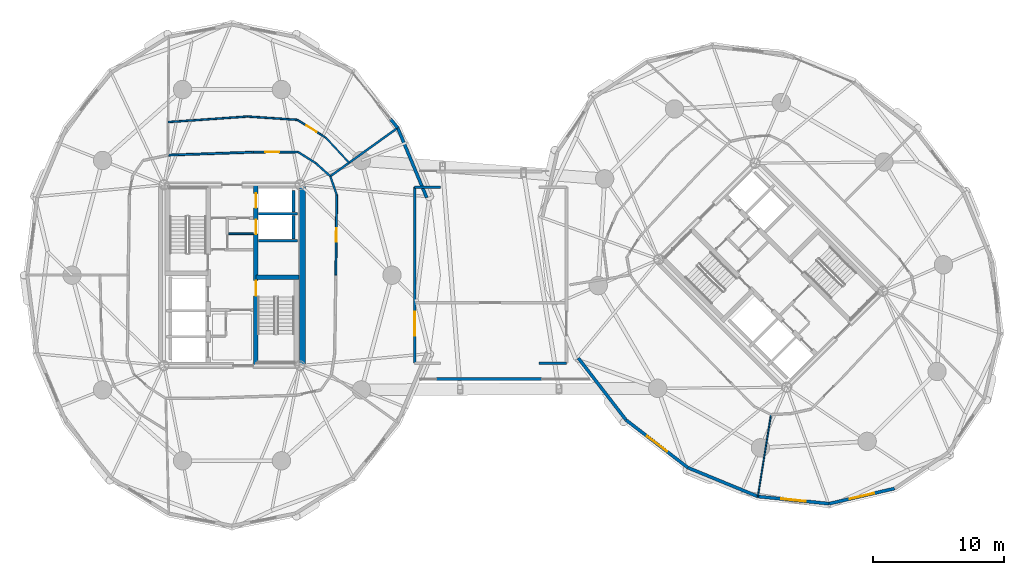
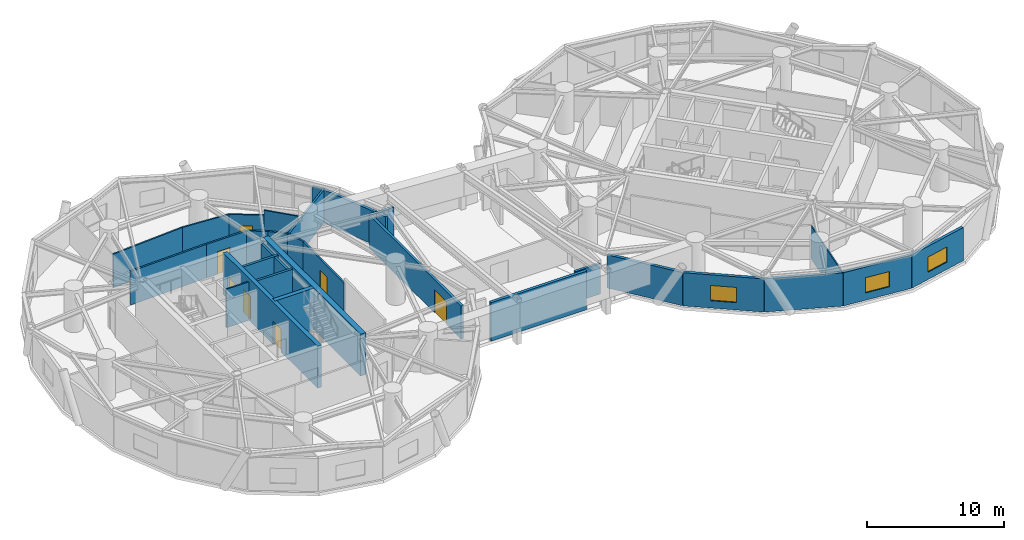
# One storey, part 11 of 17: 31 walls, 7 doors, 3 windows, 10 openings.
"""IFC4 building model written with IfcOpenShell, lengths in metres."""

from ifc_helpers import new_model, si_unit, direction, frame, frame_2d, origin, place, context, subcontext, project, spatial, rectangle, extrude, source, transform, mapped, material, layer, layer_set, type_object, element, fill, save


model = new_model("IFC4")

# Units and contexts
model_context = context("Model", 3, precision=1e-05, world=origin(), true_north=direction((0.0, 1.0)))
body_context = subcontext(model_context, "Body", "Model", "MODEL_VIEW")
ifc_project = project(units=[si_unit("LENGTHUNIT", "METRE"), si_unit("AREAUNIT", "SQUARE_METRE"), si_unit("VOLUMEUNIT", "CUBIC_METRE"), si_unit("PLANEANGLEUNIT", "RADIAN"), si_unit("MASSUNIT", "GRAM", prefix="KILO")], contexts=[model_context])

# Site, building, storey
site_placement = place(None, origin())
site = spatial("IfcSite", under=ifc_project, at=site_placement, CompositionType="ELEMENT")
building_placement = place(site_placement, origin())
building = spatial("IfcBuilding", under=site, at=building_placement, Name="Cununo Teusaquillo Station Towers", CompositionType="ELEMENT")
storey_placement = place(building_placement, frame((0.0, 0.0, 125.43994140625)))
storey = spatial("IfcBuildingStorey", under=building, at=storey_placement, Name="L40", CompositionType="ELEMENT", Elevation=125.43994140625)

# Walls
ifc_material_1 = material(Name="Concrete C50/60", Category="concrete")
ifc_layer_1 = layer(ifc_material_1, 0.199951171875)
ifc_layer_set_1 = layer_set([ifc_layer_1], Name="Concrete C50/60")
wall_type_1 = type_object("IfcWallType", Name="WL-CORE-200", PredefinedType="SHEAR", material=ifc_layer_set_1)
for number, where, z_axis, x_axis, name in (
    (1, (18.510009765625, 27.1298828125, 0.0), (0.0, 0.0, 1.0), (1.0, 0.0, 0.0), "L40 Tower A Low-Rise Lift Hoistway South Shear Wall"),
    (2, (18.510009765625, 29.175048828125, 0.0), (0.0, 0.0, 1.0), (1.0, 0.0, 0.0), "L40 Tower A Low-Rise Lift Hoistway Divider Shear Wall"),
):
    element("IfcWall", number, at=place(storey_placement, frame(where, z_axis=z_axis, x_axis=x_axis)), inside=storey, type_object=wall_type_1, Name=name, PredefinedType="SHEAR", context=body_context, shape_type="SweptSolid", body=[
        extrude(rectangle(XDim=2.969970703125, YDim=0.199951171875, at=frame_2d((1.48486328125, 0.0))), origin(), (0.0, 0.0, 1.0), 3.719970703125),
    ])
wall_1_placement = place(storey_placement, frame((21.179931640625, 27.25, 0.0), z_axis=(0.0, 0.0, 1.0), x_axis=(0.0, 1.0, 0.0)))
element("IfcWall", 3, at=wall_1_placement, inside=storey, type_object=wall_type_1, Name="L40 Tower A Low-Rise Lift 1 Shaft Rear Shear Wall", PredefinedType="SHEAR", context=body_context, shape_type="SweptSolid", body=[
    extrude(rectangle(XDim=1.804931640625, YDim=0.199951171875, at=frame_2d((0.90234375, 0.0))), origin(), (0.0, 0.0, 1.0), 3.719970703125),
])
wall_2_placement = place(storey_placement, frame((21.179931640625, 29.294921875, 0.0), z_axis=(0.0, 0.0, 1.0), x_axis=(0.0, 1.0, 0.0)))
element("IfcWall", 4, at=wall_2_placement, inside=storey, type_object=wall_type_1, Name="L40 Tower A Low-Rise Lift 2 Shaft Rear Shear Wall", PredefinedType="SHEAR", context=body_context, shape_type="SweptSolid", body=[
    extrude(rectangle(XDim=1.635009765625, YDim=0.199951171875, at=frame_2d((0.8173828125, 0.0))), origin(), (0.0, 0.0, 1.0), 3.719970703125),
])

# Wall, openings, doors
ifc_material_2 = material(Name="Concrete C50/60", Category="concrete")
ifc_layer_2 = layer(ifc_material_2, 0.35009765625)
ifc_layer_set_2 = layer_set([ifc_layer_2], Name="Concrete C50/60")
wall_type_2 = type_object("IfcWallType", Name="WL-CORE-350", PredefinedType="SHEAR", material=ifc_layer_set_2)
wall_3_placement = place(storey_placement, frame((18.31494140625, 17.625, 0.0), z_axis=(0.0, 0.0, 1.0), x_axis=(0.0, 1.0, 0.0)))
wall_3 = element("IfcWall", 5, at=wall_3_placement, inside=storey, type_object=wall_type_2, Name="L40 Tower A Core Shear Wall IE", PredefinedType="SHEAR", context=body_context, shape_type="SweptSolid", body=[
    extrude(rectangle(XDim=13.75, YDim=0.35009765625, at=frame_2d((6.875, 0.0))), origin(), (0.0, 0.0, 1.0), 3.719970703125),
])
shared_shape_1 = source(origin(), body_context, "Body", "SweptSolid", [
    extrude(rectangle(XDim=1.10009765625, YDim=2.014892578125, at=frame_2d((0.550048828125, 1.00732421875))), frame((0.0, 0.18505859375, 0.0), z_axis=(0.0, -1.0, 0.0), x_axis=(1.0, 0.0, 0.0)), (0.0, 0.0, 1.0), 0.3701171875),
])
opening_1_placement = place(wall_3_placement, frame((10.0, 0.0, 0.0)))
opening_1 = element("IfcOpeningElement", 6, at=opening_1_placement, cuts=wall_3, Name="Opening LD-01", PredefinedType="OPENING", context=body_context, shape_type="MappedRepresentation", body=[
    mapped(shared_shape_1, transform((0.0, 0.0, 0.0), x_axis=(1.0, 0.0, 0.0), y_axis=(0.0, 1.0, 0.0), z_axis=(0.0, 0.0, 1.0), scale=1.0)),
])
opening_2_placement = place(wall_3_placement, frame((12.0, 0.0, 0.0)))
opening_2 = element("IfcOpeningElement", 7, at=opening_2_placement, cuts=wall_3, Name="Opening LD-01", PredefinedType="OPENING", context=body_context, shape_type="MappedRepresentation", body=[
    mapped(shared_shape_1, transform((0.0, 0.0, 0.0), x_axis=(1.0, 0.0, 0.0), y_axis=(0.0, 1.0, 0.0), z_axis=(0.0, 0.0, 1.0), scale=1.0)),
])
shared_shape_2 = source(origin(), body_context, "Body", "SweptSolid", [
    extrude(rectangle(XDim=1.14990234375, YDim=2.02001953125, at=frame_2d((0.574951171875, 1.010009765625))), frame((0.0, 0.18505859375, 0.0), z_axis=(0.0, -1.0, 0.0), x_axis=(1.0, 0.0, 0.0)), (0.0, 0.0, 1.0), 0.3701171875),
])
opening_3_placement = place(wall_3_placement, frame((5.304931640625, 0.0, 0.0)))
opening_3 = element("IfcOpeningElement", 8, at=opening_3_placement, cuts=wall_3, Name="Opening D-ST1", PredefinedType="OPENING", context=body_context, shape_type="MappedRepresentation", body=[
    mapped(shared_shape_2, transform((0.0, 0.0, 0.0), x_axis=(1.0, 0.0, 0.0), y_axis=(0.0, 1.0, 0.0), z_axis=(0.0, 0.0, 1.0), scale=1.0)),
])
ifc_material_3 = material(Name="Galvanised fire-rated hollow steel door assembly", Category="steel")
door_type_1 = type_object("IfcDoorType", Name="DR-LIFT-1100", OperationType="SLIDING_TO_LEFT", PredefinedType="DOOR", material=ifc_material_3)
shared_shape_3 = source(origin(), body_context, "Body", "SweptSolid", [
    extrude(rectangle(XDim=1.10009765625, YDim=2.014892578125, at=frame_2d((0.550048828125, 1.00732421875))), frame((0.0, 0.02490234375, 0.0), z_axis=(0.0, -1.0, 0.0), x_axis=(1.0, 0.0, 0.0)), (0.0, 0.0, 1.0), 0.050048828125),
])
door_1_placement = place(opening_1_placement, origin())
door_1 = element("IfcDoor", 9, at=door_1_placement, inside=storey, type_object=door_type_1, Name="L40 Lift PL-T1-L1 Sliding Landing Door", OperationType="SLIDING_TO_LEFT", OverallHeight=2.014892578125, OverallWidth=1.10009765625, PredefinedType="DOOR", context=body_context, shape_type="MappedRepresentation", body=[
    mapped(shared_shape_3, transform((0.0, 0.0, 0.0), x_axis=(1.0, 0.0, 0.0), y_axis=(0.0, 1.0, 0.0), z_axis=(0.0, 0.0, 1.0), scale=1.0)),
])
fill(opening_1, door_1)
door_2_placement = place(opening_2_placement, origin())
door_2 = element("IfcDoor", 10, at=door_2_placement, inside=storey, type_object=door_type_1, Name="L40 Lift PL-T1-L2 Sliding Landing Door", OperationType="SLIDING_TO_RIGHT", OverallHeight=2.014892578125, OverallWidth=1.10009765625, PredefinedType="DOOR", context=body_context, shape_type="MappedRepresentation", body=[
    mapped(shared_shape_3, transform((0.0, 0.0, 0.0), x_axis=(1.0, 0.0, 0.0), y_axis=(0.0, 1.0, 0.0), z_axis=(0.0, 0.0, 1.0), scale=1.0)),
])
fill(opening_2, door_2)
ifc_material_4 = material(Name="Galvanised fire-rated hollow steel door assembly", Category="steel")
door_type_2 = type_object("IfcDoorType", Name="DR-STAIR-1150", OperationType="NOTDEFINED", PredefinedType="DOOR", material=ifc_material_4)
shared_shape_4 = source(origin(), body_context, "Body", "SweptSolid", [
    extrude(rectangle(XDim=1.14990234375, YDim=2.02001953125, at=frame_2d((0.574951171875, 1.010009765625))), frame((0.0, 0.02490234375, 0.0), z_axis=(0.0, -1.0, 0.0), x_axis=(1.0, 0.0, 0.0)), (0.0, 0.0, 1.0), 0.050048828125),
])
door_3_placement = place(opening_3_placement, origin())
door_3 = element("IfcDoor", 11, at=door_3_placement, inside=storey, type_object=door_type_2, Name="L40 Tower A Exit Stair 2 Fire Door", OperationType="SINGLE_SWING_LEFT", OverallHeight=2.02001953125, OverallWidth=1.14990234375, PredefinedType="DOOR", context=body_context, shape_type="MappedRepresentation", body=[
    mapped(shared_shape_4, transform((0.0, 0.0, 0.0), x_axis=(1.0, 0.0, 0.0), y_axis=(0.0, 1.0, 0.0), z_axis=(0.0, 0.0, 1.0), scale=1.0)),
])
fill(opening_3, door_3)

# Walls
wall_4_placement = place(storey_placement, frame((18.31494140625, 24.344970703125, 0.0), z_axis=(0.0, 0.0, 1.0), x_axis=(1.0, 0.0, 0.0)))
element("IfcWall", 12, at=wall_4_placement, inside=storey, type_object=wall_type_2, Name="L40 Tower A Core Shear Wall ST2N", PredefinedType="SHEAR", context=body_context, shape_type="SweptSolid", body=[
    extrude(rectangle(XDim=3.28515625, YDim=0.35009765625, at=frame_2d((1.642578125, 0.0))), origin(), (0.0, 0.0, 1.0), 3.719970703125),
])
ifc_material_5 = material(Name="Concrete C60/75", Category="concrete")
ifc_layer_3 = layer(ifc_material_5, 0.449951171875)
ifc_layer_set_3 = layer_set([ifc_layer_3], Name="Concrete C60/75")
wall_type_3 = type_object("IfcWallType", Name="WL-CORE-450", PredefinedType="SHEAR", material=ifc_layer_set_3)
wall_5_placement = place(storey_placement, frame((21.85009765625, 17.39990234375, 0.0), z_axis=(0.0, 0.0, 1.0), x_axis=(0.0, 1.0, 0.0)))
element("IfcWall", 13, at=wall_5_placement, inside=storey, type_object=wall_type_3, Name="L40 Tower A Core Shear Wall E", PredefinedType="SHEAR", context=body_context, shape_type="SweptSolid", body=[
    extrude(rectangle(XDim=14.2001953125, YDim=0.449951171875, at=frame_2d((7.10009765625, 0.0))), origin(), (0.0, 0.0, 1.0), 3.719970703125),
])
ifc_material_6 = material(Name="Precast concrete C40/50", Category="concrete")
ifc_layer_4 = layer(ifc_material_6, 0.239990234375)
ifc_layer_set_4 = layer_set([ifc_layer_4], Name="Precast concrete C40/50")
wall_type_4 = type_object("IfcWallType", Name="WL-EXT-240", PredefinedType="SOLIDWALL", material=ifc_layer_set_4)
wall_6_placement = place(storey_placement, frame((29.105224609375, 35.708984375, 0.0), z_axis=(0.0, 0.0, 1.0), x_axis=(0.384344417632, -0.923189779317, 0.0)))
element("IfcWall", 14, at=wall_6_placement, inside=storey, type_object=wall_type_4, Name="L40 Tower A Exterior Facade Wall C01", PredefinedType="SOLIDWALL", context=body_context, shape_type="SweptSolid", body=[
    extrude(rectangle(XDim=5.75830078125, YDim=0.239990234375, at=frame_2d((2.879150390625, 0.0))), origin(), (0.0, 0.0, 1.0), 2.948974609375),
])
wall_7_placement = place(storey_placement, frame((28.5546875, 36.3828125, 0.0), z_axis=(0.0, 0.0, 1.0), x_axis=(0.632702874536, -0.774394649099, 0.0)))
element("IfcWall", 15, at=wall_7_placement, inside=storey, type_object=wall_type_4, Name="L40 Tower A Column Pier Cladding Wall C02-PB", PredefinedType="SOLIDWALL", context=body_context, shape_type="SweptSolid", body=[
    extrude(rectangle(XDim=0.8701171875, YDim=0.239990234375, at=frame_2d((0.43505859375, 0.0))), origin(), (0.0, 0.0, 1.0), 2.948974609375),
])
wall_8_placement = place(storey_placement, frame((46.482666015625, 13.482666015625, 0.0), z_axis=(0.0, 0.0, 1.0), x_axis=(-0.61054437102, 0.791982052206, 0.0)))
element("IfcWall", 16, at=wall_8_placement, inside=storey, type_object=wall_type_4, Name="L40 Tower B Exterior Facade Wall C09", PredefinedType="SOLIDWALL", context=body_context, shape_type="SweptSolid", body=[
    extrude(rectangle(XDim=5.942138671875, YDim=0.239990234375, at=frame_2d((2.97119140625, 0.0))), origin(), (0.0, 0.0, 1.0), 2.948974609375),
])

# Wall, opening, window
wall_9_placement = place(storey_placement, frame((51.188720703125, 9.854736328125, 0.0), z_axis=(0.0, 0.0, 1.0), x_axis=(-0.791982052206, 0.61054437102, 0.0)))
wall_9 = element("IfcWall", 17, at=wall_9_placement, inside=storey, type_object=wall_type_4, Name="L40 Tower B Exterior Facade Wall C10", PredefinedType="SOLIDWALL", context=body_context, shape_type="SweptSolid", body=[
    extrude(rectangle(XDim=5.942138671875, YDim=0.239990234375, at=frame_2d((2.97119140625, 0.0))), origin(), (0.0, 0.0, 1.0), 2.948974609375),
])
shared_shape_5 = source(origin(), body_context, "Body", "SweptSolid", [
    extrude(rectangle(XDim=1.89990234375, YDim=1.35009765625, at=frame_2d((0.949951171875, 0.675048828125))), frame((0.0, 0.1298828125, 0.0), z_axis=(0.0, -1.0, 0.0), x_axis=(1.0, 0.0, 0.0)), (0.0, 0.0, 1.0), 0.260009765625),
])
opening_4_placement = place(wall_9_placement, frame((2.02099609375, 0.0, 0.64990234375)))
opening_4 = element("IfcOpeningElement", 18, at=opening_4_placement, cuts=wall_9, Name="Opening WN-02", PredefinedType="OPENING", context=body_context, shape_type="MappedRepresentation", body=[
    mapped(shared_shape_5, transform((0.0, 0.0, 0.0), x_axis=(1.0, 0.0, 0.0), y_axis=(0.0, 1.0, 0.0), z_axis=(0.0, 0.0, 1.0), scale=1.0)),
])
ifc_material_7 = material(Name="Operable acoustic tinted low-E double glazing", Category="glass")
window_type = type_object("IfcWindowType", Name="WIN-OPER-1900", PartitioningType="DOUBLE_PANEL_VERTICAL", PredefinedType="WINDOW", material=ifc_material_7)
shared_shape_6 = source(origin(), body_context, "Body", "SweptSolid", [
    extrude(rectangle(XDim=1.89990234375, YDim=1.35009765625, at=frame_2d((0.949951171875, 0.675048828125))), frame((0.0, 0.030029296875, 0.0), z_axis=(0.0, -1.0, 0.0), x_axis=(1.0, 0.0, 0.0)), (0.0, 0.0, 1.0), 0.06005859375),
])
window_1_placement = place(opening_4_placement, origin())
window_1 = element("IfcWindow", 19, at=window_1_placement, inside=storey, type_object=window_type, Name="L40 Tower B Facade Window C10", OverallHeight=1.35009765625, OverallWidth=1.89990234375, PartitioningType="DOUBLE_PANEL_VERTICAL", PredefinedType="WINDOW", context=body_context, shape_type="MappedRepresentation", body=[
    mapped(shared_shape_6, transform((0.0, 0.0, 0.0), x_axis=(1.0, 0.0, 0.0), y_axis=(0.0, 1.0, 0.0), z_axis=(0.0, 0.0, 1.0), scale=1.0)),
])
fill(opening_4, window_1)

# Wall
wall_10_placement = place(storey_placement, frame((56.5126953125, 7.66064453125, 0.0), z_axis=(0.0, 0.0, 1.0), x_axis=(-0.924563909604, 0.381027003055, 0.0)))
element("IfcWall", 20, at=wall_10_placement, inside=storey, type_object=wall_type_4, Name="L40 Tower B Exterior Facade Wall C11", PredefinedType="SOLIDWALL", context=body_context, shape_type="SweptSolid", body=[
    extrude(rectangle(XDim=5.75830078125, YDim=0.239990234375, at=frame_2d((2.879150390625, 0.0))), origin(), (0.0, 0.0, 1.0), 2.948974609375),
])

# Wall, opening, window
wall_11_placement = place(storey_placement, frame((61.933349609375, 7.114990234375, 0.0), z_axis=(0.0, 0.0, 1.0), x_axis=(-0.994971754311, 0.10015591906, 0.0)))
wall_11 = element("IfcWall", 21, at=wall_11_placement, inside=storey, type_object=wall_type_4, Name="L40 Tower B Exterior Facade Wall C12", PredefinedType="SOLIDWALL", context=body_context, shape_type="SweptSolid", body=[
    extrude(rectangle(XDim=5.447998046875, YDim=0.239990234375, at=frame_2d((2.72412109375, 0.0))), origin(), (0.0, 0.0, 1.0), 2.948974609375),
])
opening_5_placement = place(wall_11_placement, frame((1.77392578125, 0.0, 0.64990234375)))
opening_5 = element("IfcOpeningElement", 22, at=opening_5_placement, cuts=wall_11, Name="Opening WN-02", PredefinedType="OPENING", context=body_context, shape_type="MappedRepresentation", body=[
    mapped(shared_shape_5, transform((0.0, 0.0, 0.0), x_axis=(1.0, 0.0, 0.0), y_axis=(0.0, 1.0, 0.0), z_axis=(0.0, 0.0, 1.0), scale=1.0)),
])
window_2_placement = place(opening_5_placement, origin())
window_2 = element("IfcWindow", 23, at=window_2_placement, inside=storey, type_object=window_type, Name="L40 Tower B Facade Window C12", OverallHeight=1.35009765625, OverallWidth=1.89990234375, PartitioningType="DOUBLE_PANEL_VERTICAL", PredefinedType="WINDOW", context=body_context, shape_type="MappedRepresentation", body=[
    mapped(shared_shape_6, transform((0.0, 0.0, 0.0), x_axis=(1.0, 0.0, 0.0), y_axis=(0.0, 1.0, 0.0), z_axis=(0.0, 0.0, 1.0), scale=1.0)),
])
fill(opening_5, window_2)

wall_12_placement = place(storey_placement, frame((66.919921875, 8.27099609375, 0.0), z_axis=(0.0, 0.0, 1.0), x_axis=(-0.974165631126, -0.225834725257, 0.0)))
wall_12 = element("IfcWall", 24, at=wall_12_placement, inside=storey, type_object=wall_type_4, Name="L40 Tower B Exterior Facade Wall C13", PredefinedType="SOLIDWALL", context=body_context, shape_type="SweptSolid", body=[
    extrude(rectangle(XDim=5.118896484375, YDim=0.239990234375, at=frame_2d((2.5595703125, 0.0))), origin(), (0.0, 0.0, 1.0), 2.948974609375),
])
opening_6_placement = place(wall_12_placement, frame((1.60888671875, 0.0, 0.64990234375)))
opening_6 = element("IfcOpeningElement", 25, at=opening_6_placement, cuts=wall_12, Name="Opening WN-02", PredefinedType="OPENING", context=body_context, shape_type="MappedRepresentation", body=[
    mapped(shared_shape_5, transform((0.0, 0.0, 0.0), x_axis=(1.0, 0.0, 0.0), y_axis=(0.0, 1.0, 0.0), z_axis=(0.0, 0.0, 1.0), scale=1.0)),
])
window_3_placement = place(opening_6_placement, origin())
window_3 = element("IfcWindow", 26, at=window_3_placement, inside=storey, type_object=window_type, Name="L40 Tower B Facade Window C13", OverallHeight=1.35009765625, OverallWidth=1.89990234375, PartitioningType="DOUBLE_PANEL_VERTICAL", PredefinedType="WINDOW", context=body_context, shape_type="MappedRepresentation", body=[
    mapped(shared_shape_6, transform((0.0, 0.0, 0.0), x_axis=(1.0, 0.0, 0.0), y_axis=(0.0, 1.0, 0.0), z_axis=(0.0, 0.0, 1.0), scale=1.0)),
])
fill(opening_6, window_3)

# Walls
wall_13_placement = place(storey_placement, frame((40.10009765625, 16.60009765625, 0.0), z_axis=(0.0, 0.0, 1.0), x_axis=(-1.0, 0.0, 0.0)))
element("IfcWall", 27, at=wall_13_placement, inside=storey, type_object=wall_type_4, Name="L40 Mid-Bridge S Spandrel Facade Wall", PredefinedType="SOLIDWALL", context=body_context, shape_type="SweptSolid", body=[
    extrude(rectangle(XDim=8.050048828125, YDim=0.239990234375, at=frame_2d((4.02490234375, 0.0))), origin(), (0.0, 0.0, 1.0), 3.425048828125),
])
ifc_material_8 = material(Name="Fire-rated gypsum plasterboard partition assembly", Category="gypsum")
ifc_layer_5 = layer(ifc_material_8, 0.10009765625)
ifc_layer_set_5 = layer_set([ifc_layer_5], Name="Fire-rated gypsum plasterboard partition assembly")
wall_type_5 = type_object("IfcWallType", Name="WL-PART-100", PredefinedType="MOVABLE", material=ifc_layer_set_5)
wall_14_placement = place(storey_placement, frame((57.51123046875, 13.896728515625, 0.0), z_axis=(0.0, 0.0, 1.0), x_axis=(-0.15810696167, -0.987421991183, 0.0)))
element("IfcWall", 28, at=wall_14_placement, inside=storey, type_object=wall_type_5, Name="L40 Tower B Radial Suite Partition R04", PredefinedType="MOVABLE", context=body_context, shape_type="SweptSolid", body=[
    extrude(rectangle(XDim=6.29541015625, YDim=0.10009765625, at=frame_2d((3.147705078125, 0.0))), origin(), (0.0, 0.0, 1.0), 2.948974609375),
])
ifc_material_9 = material(Name="Fire-rated gypsum plasterboard partition assembly", Category="gypsum")
ifc_layer_6 = layer(ifc_material_9, 0.125)
ifc_layer_set_6 = layer_set([ifc_layer_6], Name="Fire-rated gypsum plasterboard partition assembly")
wall_type_6 = type_object("IfcWallType", Name="WL-PART-125", PredefinedType="PARTITIONING", material=ifc_layer_set_6)
wall_15_placement = place(storey_placement, frame((16.239990234375, 27.64990234375, 0.0), z_axis=(0.0, 0.0, 1.0), x_axis=(1.0, 0.0, 0.0)))
element("IfcWall", 29, at=wall_15_placement, inside=storey, type_object=wall_type_6, Name="L40 Tower A Core Horizontal Split Wall", PredefinedType="PARTITIONING", context=body_context, shape_type="SweptSolid", body=[
    extrude(rectangle(XDim=1.880126953125, YDim=0.125, at=frame_2d((0.93994140625, 0.0))), origin(), (0.0, 0.0, 1.0), 3.425048828125),
])
wall_16_placement = place(storey_placement, frame((25.410400390625, 33.054443359375, 0.0), z_axis=(0.0, 0.0, 1.0), x_axis=(-0.679733694606, 0.73345899982, 0.0)))
element("IfcWall", 30, at=wall_16_placement, inside=storey, type_object=wall_type_6, Name="L40 Tower A Pan-Andean Symposium Hall Concentric Partition Wall C02", PredefinedType="PARTITIONING", context=body_context, shape_type="SweptSolid", body=[
    extrude(rectangle(XDim=2.585693359375, YDim=0.125, at=frame_2d((1.29296875, 0.0))), origin(), (0.0, 0.0, 1.0), 3.425048828125),
])

# Wall, opening, door
wall_17_placement = place(storey_placement, frame((23.65283203125, 34.950927734375, 0.0), z_axis=(0.0, 0.0, 1.0), x_axis=(-0.847306782665, 0.531103771452, 0.0)))
wall_17 = element("IfcWall", 31, at=wall_17_placement, inside=storey, type_object=wall_type_6, Name="L40 Tower A Pan-Andean Symposium Hall Concentric Partition Wall C03", PredefinedType="PARTITIONING", context=body_context, shape_type="SweptSolid", body=[
    extrude(rectangle(XDim=2.5810546875, YDim=0.125, at=frame_2d((1.29052734375, 0.0))), origin(), (0.0, 0.0, 1.0), 2.9951171875),
])
shared_shape_7 = source(origin(), body_context, "Body", "SweptSolid", [
    extrude(rectangle(XDim=0.89990234375, YDim=2.0048828125, at=frame_2d((0.449951171875, 1.00244140625))), frame((0.0, 0.072509765625, 0.0), z_axis=(0.0, -1.0, 0.0), x_axis=(1.0, 0.0, 0.0)), (0.0, 0.0, 1.0), 0.14501953125),
])
opening_7_placement = place(wall_17_placement, frame((0.840576171875, 0.0, 0.0)))
opening_7 = element("IfcOpeningElement", 32, at=opening_7_placement, cuts=wall_17, Name="Opening D-IN1", PredefinedType="OPENING", context=body_context, shape_type="MappedRepresentation", body=[
    mapped(shared_shape_7, transform((0.0, 0.0, 0.0), x_axis=(1.0, 0.0, 0.0), y_axis=(0.0, 1.0, 0.0), z_axis=(0.0, 0.0, 1.0), scale=1.0)),
])
ifc_material_10 = material(Name="Acoustic solid-core hardwood leaf assembly", Category="wood")
door_type_3 = type_object("IfcDoorType", Name="DR-INT-900", OperationType="NOTDEFINED", PredefinedType="DOOR", material=ifc_material_10)
shared_shape_8 = source(origin(), body_context, "Body", "SweptSolid", [
    extrude(rectangle(XDim=0.89990234375, YDim=2.0048828125, at=frame_2d((0.449951171875, 1.00244140625))), frame((0.0, 0.02490234375, 0.0), z_axis=(0.0, -1.0, 0.0), x_axis=(1.0, 0.0, 0.0)), (0.0, 0.0, 1.0), 0.050048828125),
])
door_4_placement = place(opening_7_placement, origin())
door_4 = element("IfcDoor", 33, at=door_4_placement, inside=storey, type_object=door_type_3, Name="L40 Tower A Pan-Andean Symposium Hall Connecting Door", OperationType="SINGLE_SWING_RIGHT", OverallHeight=2.0048828125, OverallWidth=0.89990234375, PredefinedType="DOOR", context=body_context, shape_type="MappedRepresentation", body=[
    mapped(shared_shape_8, transform((0.0, 0.0, 0.0), x_axis=(1.0, 0.0, 0.0), y_axis=(0.0, 1.0, 0.0), z_axis=(0.0, 0.0, 1.0), scale=1.0)),
])
fill(opening_7, door_4)

# Walls
wall_18_placement = place(storey_placement, frame((21.4658203125, 36.32177734375, 0.0), z_axis=(0.0, 0.0, 1.0), x_axis=(-0.997806476515, 0.066198454847, 0.0)))
element("IfcWall", 34, at=wall_18_placement, inside=storey, type_object=wall_type_6, Name="L40 Tower A Pan-Andean Symposium Hall Concentric Partition Wall C04", PredefinedType="PARTITIONING", context=body_context, shape_type="SweptSolid", body=[
    extrude(rectangle(XDim=3.791259765625, YDim=0.125, at=frame_2d((1.8955078125, 0.0))), origin(), (0.0, 0.0, 1.0), 2.9951171875),
])
wall_19_placement = place(storey_placement, frame((17.682861328125, 36.57275390625, 0.0), z_axis=(0.0, 0.0, 1.0), x_axis=(-0.997580369038, -0.069522710754, 0.0)))
element("IfcWall", 35, at=wall_19_placement, inside=storey, type_object=wall_type_6, Name="L40 Tower A Pan-Andean Symposium Hall Concentric Partition Wall C05", PredefinedType="PARTITIONING", context=body_context, shape_type="SweptSolid", body=[
    extrude(rectangle(XDim=6.0576171875, YDim=0.125, at=frame_2d((3.02880859375, 0.0))), origin(), (0.0, 0.0, 1.0), 2.9951171875),
])

# Wall, opening, door
ifc_material_11 = material(Name="Fire-rated gypsum plasterboard partition assembly", Category="gypsum")
ifc_layer_7 = layer(ifc_material_11, 0.14990234375)
ifc_layer_set_7 = layer_set([ifc_layer_7], Name="Fire-rated gypsum plasterboard partition assembly")
wall_type_7 = type_object("IfcWallType", Name="WL-PART-150", PredefinedType="PARTITIONING", material=ifc_layer_set_7)
wall_20_placement = place(storey_placement, frame((24.39990234375, 24.5, 0.0), z_axis=(0.0, 0.0, 1.0), x_axis=(0.011299841544, 0.999936154752, 0.0)))
wall_20 = element("IfcWall", 36, at=wall_20_placement, inside=storey, type_object=wall_type_7, Name="L40 Tower A Corridor Ring Wall C00", PredefinedType="PARTITIONING", context=body_context, shape_type="SweptSolid", body=[
    extrude(rectangle(XDim=6.114501953125, YDim=0.14990234375, at=frame_2d((3.05712890625, 0.0))), origin(), (0.0, 0.0, 1.0), 2.9951171875),
])
shared_shape_9 = source(origin(), body_context, "Body", "SweptSolid", [
    extrude(rectangle(XDim=1.050048828125, YDim=2.014892578125, at=frame_2d((0.52490234375, 1.00732421875))), frame((0.0, 0.0849609375, 0.0), z_axis=(0.0, -1.0, 0.0), x_axis=(1.0, 0.0, 0.0)), (0.0, 0.0, 1.0), 0.169921875),
])
opening_8_placement = place(wall_20_placement, frame((2.5322265625, 0.0, 0.0)))
opening_8 = element("IfcOpeningElement", 37, at=opening_8_placement, cuts=wall_20, Name="Opening D-SU1", PredefinedType="OPENING", context=body_context, shape_type="MappedRepresentation", body=[
    mapped(shared_shape_9, transform((0.0, 0.0, 0.0), x_axis=(1.0, 0.0, 0.0), y_axis=(0.0, 1.0, 0.0), z_axis=(0.0, 0.0, 1.0), scale=1.0)),
])
ifc_material_12 = material(Name="Acoustic solid-core hardwood leaf assembly", Category="wood")
door_type_4 = type_object("IfcDoorType", Name="DR-SUITE-1050", OperationType="NOTDEFINED", PredefinedType="DOOR", material=ifc_material_12)
shared_shape_10 = source(origin(), body_context, "Body", "SweptSolid", [
    extrude(rectangle(XDim=1.050048828125, YDim=2.014892578125, at=frame_2d((0.52490234375, 1.00732421875))), frame((0.0, 0.02490234375, 0.0), z_axis=(0.0, -1.0, 0.0), x_axis=(1.0, 0.0, 0.0)), (0.0, 0.0, 1.0), 0.050048828125),
])
door_5_placement = place(opening_8_placement, origin())
door_5 = element("IfcDoor", 38, at=door_5_placement, inside=storey, type_object=door_type_4, Name="L40 Tower A Bridge Portal Reception Foyer Entrance Door", OperationType="SINGLE_SWING_LEFT", OverallHeight=2.014892578125, OverallWidth=1.050048828125, PredefinedType="DOOR", context=body_context, shape_type="MappedRepresentation", body=[
    mapped(shared_shape_10, transform((0.0, 0.0, 0.0), x_axis=(1.0, 0.0, 0.0), y_axis=(0.0, 1.0, 0.0), z_axis=(0.0, 0.0, 1.0), scale=1.0)),
])
fill(opening_8, door_5)

# Walls
wall_21_placement = place(storey_placement, frame((24.468994140625, 30.614013671875, 0.0), z_axis=(0.0, 0.0, 1.0), x_axis=(-0.327228335485, 0.944945298129, 0.0)))
element("IfcWall", 39, at=wall_21_placement, inside=storey, type_object=wall_type_7, Name="L40 Tower A Corridor Ring Wall C01", PredefinedType="PARTITIONING", context=body_context, shape_type="SweptSolid", body=[
    extrude(rectangle(XDim=1.4951171875, YDim=0.14990234375, at=frame_2d((0.74755859375, 0.0))), origin(), (0.0, 0.0, 1.0), 2.9951171875),
])
wall_22_placement = place(storey_placement, frame((23.979736328125, 32.02685546875, 0.0), z_axis=(0.0, 0.0, 1.0), x_axis=(-0.742353224332, 0.670008724065, 0.0)))
element("IfcWall", 40, at=wall_22_placement, inside=storey, type_object=wall_type_7, Name="L40 Tower A Corridor Ring Wall C02", PredefinedType="PARTITIONING", context=body_context, shape_type="SweptSolid", body=[
    extrude(rectangle(XDim=1.48486328125, YDim=0.14990234375, at=frame_2d((0.742431640625, 0.0))), origin(), (0.0, 0.0, 1.0), 2.9951171875),
])
wall_23_placement = place(storey_placement, frame((22.87744140625, 33.021728515625, 0.0), z_axis=(0.0, 0.0, 1.0), x_axis=(-0.845895608855, 0.533348496689, 0.0)))
element("IfcWall", 41, at=wall_23_placement, inside=storey, type_object=wall_type_7, Name="L40 Tower A Corridor Ring Wall C03", PredefinedType="PARTITIONING", context=body_context, shape_type="SweptSolid", body=[
    extrude(rectangle(XDim=1.5966796875, YDim=0.14990234375, at=frame_2d((0.79833984375, 0.0))), origin(), (0.0, 0.0, 1.0), 2.9951171875),
])

# Wall, opening, door
wall_24_placement = place(storey_placement, frame((21.52685546875, 33.873291015625, 0.0), z_axis=(0.0, 0.0, 1.0), x_axis=(-0.999991838845, -0.004040079574, 0.0)))
wall_24 = element("IfcWall", 42, at=wall_24_placement, inside=storey, type_object=wall_type_7, Name="L40 Tower A Corridor Ring Wall C04", PredefinedType="PARTITIONING", context=body_context, shape_type="SweptSolid", body=[
    extrude(rectangle(XDim=3.384033203125, YDim=0.14990234375, at=frame_2d((1.69189453125, 0.0))), origin(), (0.0, 0.0, 1.0), 2.9951171875),
])
opening_9_placement = place(wall_24_placement, frame((1.4287109375, 0.0, 0.0)))
opening_9 = element("IfcOpeningElement", 43, at=opening_9_placement, cuts=wall_24, Name="Opening D-SU1", PredefinedType="OPENING", context=body_context, shape_type="MappedRepresentation", body=[
    mapped(shared_shape_9, transform((0.0, 0.0, 0.0), x_axis=(1.0, 0.0, 0.0), y_axis=(0.0, 1.0, 0.0), z_axis=(0.0, 0.0, 1.0), scale=1.0)),
])
door_6_placement = place(opening_9_placement, origin())
door_6 = element("IfcDoor", 44, at=door_6_placement, inside=storey, type_object=door_type_4, Name="L40 Tower A Pan-Andean Symposium Hall Entrance Door", OperationType="SINGLE_SWING_LEFT", OverallHeight=2.014892578125, OverallWidth=1.050048828125, PredefinedType="DOOR", context=body_context, shape_type="MappedRepresentation", body=[
    mapped(shared_shape_10, transform((0.0, 0.0, 0.0), x_axis=(1.0, 0.0, 0.0), y_axis=(0.0, 1.0, 0.0), z_axis=(0.0, 0.0, 1.0), scale=1.0)),
])
fill(opening_9, door_6)

# Walls
wall_25_placement = place(storey_placement, frame((18.142822265625, 33.859619140625, 0.0), z_axis=(0.0, 0.0, 1.0), x_axis=(-0.999419208319, -0.034077060363, 0.0)))
element("IfcWall", 45, at=wall_25_placement, inside=storey, type_object=wall_type_7, Name="L40 Tower A Corridor Ring Wall C05", PredefinedType="PARTITIONING", context=body_context, shape_type="SweptSolid", body=[
    extrude(rectangle(XDim=6.52685546875, YDim=0.14990234375, at=frame_2d((3.263427734375, 0.0))), origin(), (0.0, 0.0, 1.0), 2.9951171875),
])
ifc_material_13 = material(Name="Fire-rated gypsum plasterboard partition assembly", Category="gypsum")
ifc_layer_8 = layer(ifc_material_13, 0.159912109375)
ifc_layer_set_8 = layer_set([ifc_layer_8], Name="Fire-rated gypsum plasterboard partition assembly")
wall_type_8 = type_object("IfcWallType", Name="WL-PART-160", PredefinedType="PARTITIONING", material=ifc_layer_set_8)
wall_26_placement = place(storey_placement, frame((23.979736328125, 32.02685546875, 0.0), z_axis=(0.0, 0.0, 1.0), x_axis=(0.812162479031, 0.58343132214, 0.0)))
element("IfcWall", 46, at=wall_26_placement, inside=storey, type_object=wall_type_8, Name="L40 Tower A Radial Suite Partition R01", PredefinedType="PARTITIONING", context=body_context, shape_type="SweptSolid", body=[
    extrude(rectangle(XDim=6.291015625, YDim=0.159912109375, at=frame_2d((3.1455078125, 0.0))), origin(), (0.0, 0.0, 1.0), 2.948974609375),
])

# Wall, opening, door
ifc_material_14 = material(Name="Fire-rated gypsum plasterboard partition assembly", Category="gypsum")
ifc_layer_9 = layer(ifc_material_14, 0.199951171875)
ifc_layer_set_9 = layer_set([ifc_layer_9], Name="Fire-rated gypsum plasterboard partition assembly")
wall_type_9 = type_object("IfcWallType", Name="WL-PART-200", PredefinedType="PARTITIONING", material=ifc_layer_set_9)
wall_27_placement = place(storey_placement, frame((30.39990234375, 17.800048828125, 0.0), z_axis=(0.0, 0.0, 1.0), x_axis=(0.0, 1.0, 0.0)))
wall_27 = element("IfcWall", 47, at=wall_27_placement, inside=storey, type_object=wall_type_9, Name="L40 Mid-Bridge T1 Fire Portal Wall", PredefinedType="PARTITIONING", context=body_context, shape_type="SweptSolid", body=[
    extrude(rectangle(XDim=13.39990234375, YDim=0.199951171875, at=frame_2d((6.699951171875, 0.0))), origin(), (0.0, 0.0, 1.0), 2.948974609375),
])
shared_shape_11 = source(origin(), body_context, "Body", "SweptSolid", [
    extrude(rectangle(XDim=1.800048828125, YDim=2.050048828125, at=frame_2d((0.89990234375, 1.02490234375))), frame((0.0, 0.10986328125, 0.0), z_axis=(0.0, -1.0, 0.0), x_axis=(1.0, 0.0, 0.0)), (0.0, 0.0, 1.0), 0.219970703125),
])
opening_10_placement = place(wall_27_placement, frame((2.10009765625, 0.0, 0.0)))
opening_10 = element("IfcOpeningElement", 48, at=opening_10_placement, cuts=wall_27, Name="Opening D-BG1", PredefinedType="OPENING", context=body_context, shape_type="MappedRepresentation", body=[
    mapped(shared_shape_11, transform((0.0, 0.0, 0.0), x_axis=(1.0, 0.0, 0.0), y_axis=(0.0, 1.0, 0.0), z_axis=(0.0, 0.0, 1.0), scale=1.0)),
])
ifc_material_15 = material(Name="Galvanised fire-rated hollow steel door assembly", Category="steel")
door_type_5 = type_object("IfcDoorType", Name="DR-BRIDGE-1800", OperationType="DOUBLE_DOOR_SINGLE_SWING", PredefinedType="DOOR", material=ifc_material_15)
shared_shape_12 = source(origin(), body_context, "Body", "SweptSolid", [
    extrude(rectangle(XDim=1.800048828125, YDim=2.050048828125, at=frame_2d((0.89990234375, 1.02490234375))), frame((0.0, 0.02490234375, 0.0), z_axis=(0.0, -1.0, 0.0), x_axis=(1.0, 0.0, 0.0)), (0.0, 0.0, 1.0), 0.050048828125),
])
door_7_placement = place(opening_10_placement, origin())
door_7 = element("IfcDoor", 49, at=door_7_placement, inside=storey, type_object=door_type_5, Name="L40 Mid-Bridge T1 Portal Fire Door", OperationType="DOUBLE_DOOR_SINGLE_SWING", OverallHeight=2.050048828125, OverallWidth=1.800048828125, PredefinedType="DOOR", context=body_context, shape_type="MappedRepresentation", body=[
    mapped(shared_shape_12, transform((0.0, 0.0, 0.0), x_axis=(1.0, 0.0, 0.0), y_axis=(0.0, 1.0, 0.0), z_axis=(0.0, 0.0, 1.0), scale=1.0)),
])
fill(opening_10, door_7)

# Walls
wall_28_placement = place(storey_placement, frame((30.39990234375, 31.199951171875, 0.0), z_axis=(0.0, 0.0, 1.0), x_axis=(1.0, 0.0, 0.0)))
element("IfcWall", 50, at=wall_28_placement, inside=storey, type_object=wall_type_9, Name="L40 Mid-Bridge Portal Return Wall WN", PredefinedType="PARTITIONING", context=body_context, shape_type="SweptSolid", body=[
    extrude(rectangle(XDim=1.9501953125, YDim=0.199951171875, at=frame_2d((0.97509765625, 0.0))), origin(), (0.0, 0.0, 1.0), 2.948974609375),
])
wall_29_placement = place(storey_placement, frame((39.85009765625, 17.800048828125, 0.0), z_axis=(0.0, 0.0, 1.0), x_axis=(1.0, 0.0, 0.0)))
element("IfcWall", 51, at=wall_29_placement, inside=storey, type_object=wall_type_9, Name="L40 Mid-Bridge Portal Return Wall ES", PredefinedType="PARTITIONING", context=body_context, shape_type="SweptSolid", body=[
    extrude(rectangle(XDim=2.099853515625, YDim=0.199951171875, at=frame_2d((1.0498046875, 0.0))), origin(), (0.0, 0.0, 1.0), 2.712158203125),
])

save(model, "model.ifc")
